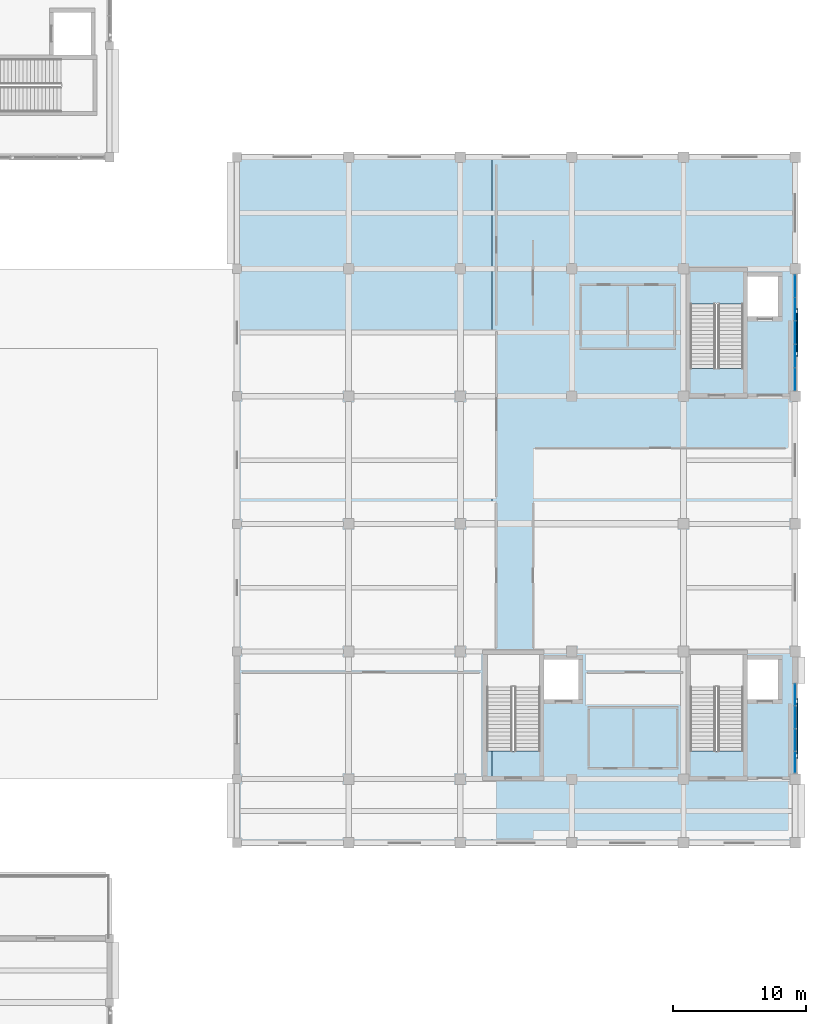
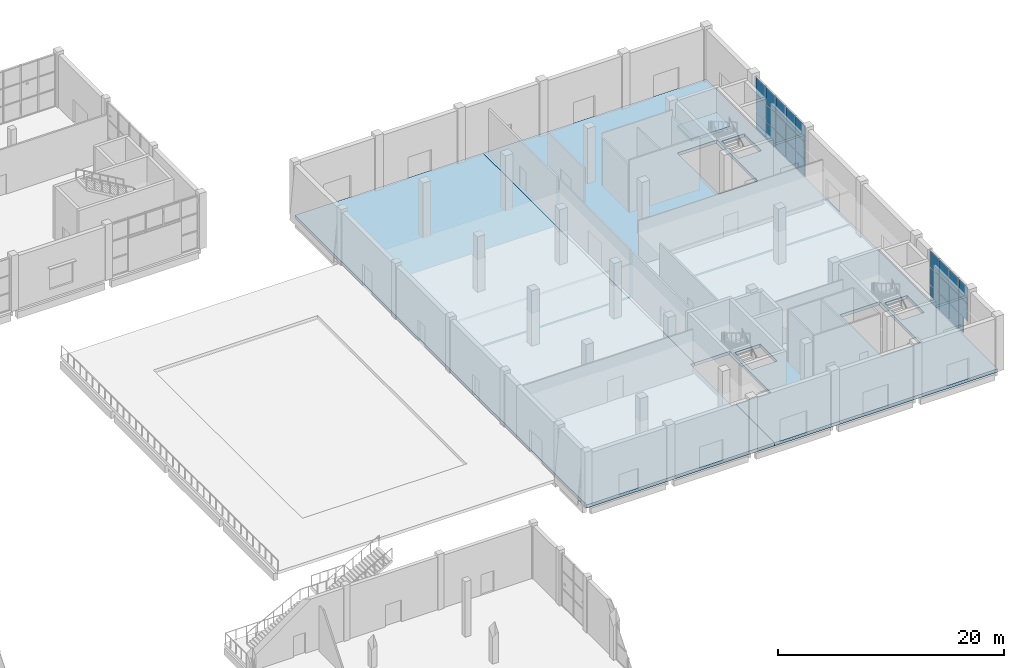
# One storey, part 51 of 84: 28 plates, 3 slabs, 3 elements without a shape of their own.
"""IFC4 building model written with IfcOpenShell, lengths in metres."""

from ifc_helpers import new_model, si_unit, direction, frame, origin, origin_2d, place, context, subcontext, project, spatial, polyline, rectangle, outline, extrude, material, layer, layer_set, type_object, element, aggregate, save


model = new_model("IFC4")

# Units and contexts
model_context = context("Model", 3, precision=1e-05, world=origin(), true_north=direction((0.0, 1.0)))
body_context = subcontext(model_context, "Body", "Model", "MODEL_VIEW")
ifc_project = project(units=[si_unit("LENGTHUNIT", "METRE"), si_unit("AREAUNIT", "SQUARE_METRE"), si_unit("VOLUMEUNIT", "CUBIC_METRE"), si_unit("PLANEANGLEUNIT", "RADIAN"), si_unit("MASSUNIT", "GRAM", prefix="KILO")], contexts=[model_context])

# Site, building, storey
site_placement = place(None, origin())
site = spatial("IfcSite", under=ifc_project, at=site_placement, CompositionType="ELEMENT")
building_placement = place(site_placement, origin())
building = spatial("IfcBuilding", under=site, at=building_placement, Name="Shalvenor Court Art Gallery", CompositionType="ELEMENT")
storey_placement = place(building_placement, origin())
storey = spatial("IfcBuildingStorey", under=building, at=storey_placement, Name="L00", CompositionType="ELEMENT", Elevation=0.0)

# Curtain wall, plates
ifc_material_1 = material(Name="Anodised aluminium and low-iron glass curtain wall", Category="aluminium")
curtain_wall_type_1 = type_object("IfcCurtainWallType", Name="CW-5x3-88-57-222", PredefinedType="USERDEFINED", material=ifc_material_1)
curtain_wall_1_placement = place(storey_placement, origin())
curtain_wall_1 = element("IfcCurtainWall", 1, at=curtain_wall_1_placement, inside=storey, type_object=curtain_wall_type_1, Name="L00 V1 Curtain Wall CW-L00-001", ObjectType="CURTAIN WALL", PredefinedType="USERDEFINED")
ifc_material_2 = material(Name="Low-iron triple-silver solar gallery glazing IGU", Category="glass")
ifc_layer_1 = layer(ifc_material_2, 0.031982421875, Name="Low-iron triple-silver solar gallery glazing IGU")
ifc_layer_set_1 = layer_set([ifc_layer_1], Name="Low-iron triple-silver solar gallery glazing IGU")
plate_type_1 = type_object("IfcPlateType", Name="CWP-02", PredefinedType="CURTAIN_PANEL", material=ifc_layer_set_1)
plate_1_placement = place(storey_placement, frame((176.39990234375, 87.50244140625, 0.06494140625), z_axis=(0.0, 0.0, 1.0), x_axis=(0.0, -1.0, 0.0)))
plate_1 = element("IfcPlate", 2, at=plate_1_placement, type_object=plate_type_1, Name="CW-5x3-88-57-222 panel 1.1", PredefinedType="CURTAIN_PANEL", context=body_context, shape_type="SweptSolid", body=[
    extrude(rectangle(XDim=1.655029296875, YDim=0.031982421875, at=origin_2d()), origin(), (0.0, 0.0, 1.0), 1.7958984375),
])
plate_2_placement = place(storey_placement, frame((176.39990234375, 87.50244140625, 1.92578125), z_axis=(0.0, 0.0, 1.0), x_axis=(0.0, -1.0, 0.0)))
plate_2 = element("IfcPlate", 3, at=plate_2_placement, type_object=plate_type_1, Name="CW-5x3-88-57-222 panel 1.2", PredefinedType="CURTAIN_PANEL", context=body_context, shape_type="SweptSolid", body=[
    extrude(rectangle(XDim=1.655029296875, YDim=0.031982421875, at=origin_2d()), origin(), (0.0, 0.0, 1.0), 1.828369140625),
])
plate_3_placement = place(storey_placement, frame((176.39990234375, 87.50244140625, 3.819091796875), z_axis=(0.0, 0.0, 1.0), x_axis=(0.0, -1.0, 0.0)))
plate_3 = element("IfcPlate", 4, at=plate_3_placement, type_object=plate_type_1, Name="CW-5x3-88-57-222 panel 1.3", PredefinedType="CURTAIN_PANEL", context=body_context, shape_type="SweptSolid", body=[
    extrude(rectangle(XDim=1.655029296875, YDim=0.031982421875, at=origin_2d()), origin(), (0.0, 0.0, 1.0), 1.7958984375),
])
plate_4_placement = place(storey_placement, frame((176.39990234375, 85.760009765625, 0.06494140625), z_axis=(0.0, 0.0, 1.0), x_axis=(0.0, -1.0, 0.0)))
plate_4 = element("IfcPlate", 5, at=plate_4_placement, type_object=plate_type_1, Name="CW-5x3-88-57-222 panel 2.1", PredefinedType="CURTAIN_PANEL", context=body_context, shape_type="SweptSolid", body=[
    extrude(rectangle(XDim=1.68994140625, YDim=0.031982421875, at=origin_2d()), origin(), (0.0, 0.0, 1.0), 1.7958984375),
])
plate_5_placement = place(storey_placement, frame((176.39990234375, 85.760009765625, 1.92578125), z_axis=(0.0, 0.0, 1.0), x_axis=(0.0, -1.0, 0.0)))
plate_5 = element("IfcPlate", 6, at=plate_5_placement, type_object=plate_type_1, Name="CW-5x3-88-57-222 panel 2.2", PredefinedType="CURTAIN_PANEL", context=body_context, shape_type="SweptSolid", body=[
    extrude(rectangle(XDim=1.68994140625, YDim=0.031982421875, at=origin_2d()), origin(), (0.0, 0.0, 1.0), 1.828369140625),
])
plate_6_placement = place(storey_placement, frame((176.39990234375, 85.760009765625, 3.819091796875), z_axis=(0.0, 0.0, 1.0), x_axis=(0.0, -1.0, 0.0)))
plate_6 = element("IfcPlate", 7, at=plate_6_placement, type_object=plate_type_1, Name="CW-5x3-88-57-222 panel 2.3", PredefinedType="CURTAIN_PANEL", context=body_context, shape_type="SweptSolid", body=[
    extrude(rectangle(XDim=1.68994140625, YDim=0.031982421875, at=origin_2d()), origin(), (0.0, 0.0, 1.0), 1.7958984375),
])
plate_7_placement = place(storey_placement, frame((176.39990234375, 84.0, 0.06494140625), z_axis=(0.0, 0.0, 1.0), x_axis=(0.0, -1.0, 0.0)))
plate_7 = element("IfcPlate", 8, at=plate_7_placement, type_object=plate_type_1, Name="CW-5x3-88-57-222 panel 3.1", PredefinedType="CURTAIN_PANEL", context=body_context, shape_type="SweptSolid", body=[
    extrude(rectangle(XDim=1.68994140625, YDim=0.031982421875, at=origin_2d()), origin(), (0.0, 0.0, 1.0), 1.7958984375),
])
plate_8_placement = place(storey_placement, frame((176.39990234375, 84.0, 1.92578125), z_axis=(0.0, 0.0, 1.0), x_axis=(0.0, -1.0, 0.0)))
plate_8 = element("IfcPlate", 9, at=plate_8_placement, type_object=plate_type_1, Name="CW-5x3-88-57-222 panel 3.2", PredefinedType="CURTAIN_PANEL", context=body_context, shape_type="SweptSolid", body=[
    extrude(rectangle(XDim=1.68994140625, YDim=0.031982421875, at=origin_2d()), origin(), (0.0, 0.0, 1.0), 1.828369140625),
])
plate_9_placement = place(storey_placement, frame((176.39990234375, 84.0, 3.819091796875), z_axis=(0.0, 0.0, 1.0), x_axis=(0.0, -1.0, 0.0)))
plate_9 = element("IfcPlate", 10, at=plate_9_placement, type_object=plate_type_1, Name="CW-5x3-88-57-222 panel 3.3", PredefinedType="CURTAIN_PANEL", context=body_context, shape_type="SweptSolid", body=[
    extrude(rectangle(XDim=1.68994140625, YDim=0.031982421875, at=origin_2d()), origin(), (0.0, 0.0, 1.0), 1.7958984375),
])
plate_10_placement = place(storey_placement, frame((176.39990234375, 82.239990234375, 0.06494140625), z_axis=(0.0, 0.0, 1.0), x_axis=(0.0, -1.0, 0.0)))
plate_10 = element("IfcPlate", 11, at=plate_10_placement, type_object=plate_type_1, Name="CW-5x3-88-57-222 panel 4.1", PredefinedType="CURTAIN_PANEL", context=body_context, shape_type="SweptSolid", body=[
    extrude(rectangle(XDim=1.68994140625, YDim=0.031982421875, at=origin_2d()), origin(), (0.0, 0.0, 1.0), 1.7958984375),
])
plate_11_placement = place(storey_placement, frame((176.39990234375, 82.239990234375, 1.92578125), z_axis=(0.0, 0.0, 1.0), x_axis=(0.0, -1.0, 0.0)))
plate_11 = element("IfcPlate", 12, at=plate_11_placement, type_object=plate_type_1, Name="CW-5x3-88-57-222 panel 4.2", PredefinedType="CURTAIN_PANEL", context=body_context, shape_type="SweptSolid", body=[
    extrude(rectangle(XDim=1.68994140625, YDim=0.031982421875, at=origin_2d()), origin(), (0.0, 0.0, 1.0), 1.828369140625),
])
plate_12_placement = place(storey_placement, frame((176.39990234375, 82.239990234375, 3.819091796875), z_axis=(0.0, 0.0, 1.0), x_axis=(0.0, -1.0, 0.0)))
plate_12 = element("IfcPlate", 13, at=plate_12_placement, type_object=plate_type_1, Name="CW-5x3-88-57-222 panel 4.3", PredefinedType="CURTAIN_PANEL", context=body_context, shape_type="SweptSolid", body=[
    extrude(rectangle(XDim=1.68994140625, YDim=0.031982421875, at=origin_2d()), origin(), (0.0, 0.0, 1.0), 1.7958984375),
])
plate_13_placement = place(storey_placement, frame((176.39990234375, 80.49755859375, 0.06494140625), z_axis=(0.0, 0.0, 1.0), x_axis=(0.0, -1.0, 0.0)))
plate_13 = element("IfcPlate", 14, at=plate_13_placement, type_object=plate_type_1, Name="CW-5x3-88-57-222 panel 5.1", PredefinedType="CURTAIN_PANEL", context=body_context, shape_type="SweptSolid", body=[
    extrude(rectangle(XDim=1.655029296875, YDim=0.031982421875, at=origin_2d()), origin(), (0.0, 0.0, 1.0), 1.7958984375),
])
plate_14_placement = place(storey_placement, frame((176.39990234375, 80.49755859375, 1.92578125), z_axis=(0.0, 0.0, 1.0), x_axis=(0.0, -1.0, 0.0)))
plate_14 = element("IfcPlate", 15, at=plate_14_placement, type_object=plate_type_1, Name="CW-5x3-88-57-222 panel 5.2", PredefinedType="CURTAIN_PANEL", context=body_context, shape_type="SweptSolid", body=[
    extrude(rectangle(XDim=1.655029296875, YDim=0.031982421875, at=origin_2d()), origin(), (0.0, 0.0, 1.0), 1.828369140625),
])
plate_15_placement = place(storey_placement, frame((176.39990234375, 80.49755859375, 3.819091796875), z_axis=(0.0, 0.0, 1.0), x_axis=(0.0, -1.0, 0.0)))
plate_15 = element("IfcPlate", 16, at=plate_15_placement, type_object=plate_type_1, Name="CW-5x3-88-57-222 panel 5.3", PredefinedType="CURTAIN_PANEL", context=body_context, shape_type="SweptSolid", body=[
    extrude(rectangle(XDim=1.655029296875, YDim=0.031982421875, at=origin_2d()), origin(), (0.0, 0.0, 1.0), 1.7958984375),
])
aggregate(curtain_wall_1, [plate_1, plate_2, plate_3, plate_4, plate_5, plate_6, plate_7, plate_8, plate_9, plate_10, plate_11, plate_12, plate_13, plate_14, plate_15])

ifc_material_3 = material(Name="Anodised aluminium and low-iron glass curtain wall", Category="aluminium")
curtain_wall_type_2 = type_object("IfcCurtainWallType", Name="CW-4x3-68-57-442", PredefinedType="USERDEFINED", material=ifc_material_3)
curtain_wall_2_placement = place(storey_placement, origin())
curtain_wall_2 = element("IfcCurtainWall", 17, at=curtain_wall_2_placement, inside=storey, type_object=curtain_wall_type_2, Name="L00 V1 Curtain Wall CW-L00-002", ObjectType="CURTAIN WALL", PredefinedType="USERDEFINED")
plate_16_placement = place(storey_placement, frame((176.39990234375, 56.731201171875, 0.06982421875), z_axis=(0.0, 0.0, 1.0), x_axis=(0.0, -1.0, 0.0)))
plate_16 = element("IfcPlate", 18, at=plate_16_placement, type_object=plate_type_1, Name="CW-4x3-68-57-442 panel 1.1", PredefinedType="CURTAIN_PANEL", context=body_context, shape_type="SweptSolid", body=[
    extrude(rectangle(XDim=1.58740234375, YDim=0.031982421875, at=origin_2d()), origin(), (0.0, 0.0, 1.0), 1.788330078125),
])
plate_17_placement = place(storey_placement, frame((176.39990234375, 56.731201171875, 1.928466796875), z_axis=(0.0, 0.0, 1.0), x_axis=(0.0, -1.0, 0.0)))
plate_17 = element("IfcPlate", 19, at=plate_17_placement, type_object=plate_type_1, Name="CW-4x3-68-57-442 panel 1.2", PredefinedType="CURTAIN_PANEL", context=body_context, shape_type="SweptSolid", body=[
    extrude(rectangle(XDim=1.58740234375, YDim=0.031982421875, at=origin_2d()), origin(), (0.0, 0.0, 1.0), 1.8232421875),
])
plate_18_placement = place(storey_placement, frame((176.39990234375, 56.731201171875, 3.82177734375), z_axis=(0.0, 0.0, 1.0), x_axis=(0.0, -1.0, 0.0)))
plate_18 = element("IfcPlate", 20, at=plate_18_placement, type_object=plate_type_1, Name="CW-4x3-68-57-442 panel 1.3", PredefinedType="CURTAIN_PANEL", context=body_context, shape_type="SweptSolid", body=[
    extrude(rectangle(XDim=1.58740234375, YDim=0.031982421875, at=origin_2d()), origin(), (0.0, 0.0, 1.0), 1.788330078125),
])
plate_19_placement = place(storey_placement, frame((176.39990234375, 55.050048828125, 0.06982421875), z_axis=(0.0, 0.0, 1.0), x_axis=(0.0, -1.0, 0.0)))
plate_19 = element("IfcPlate", 21, at=plate_19_placement, type_object=plate_type_1, Name="CW-4x3-68-57-442 panel 2.1", PredefinedType="CURTAIN_PANEL", context=body_context, shape_type="SweptSolid", body=[
    extrude(rectangle(XDim=1.625, YDim=0.031982421875, at=origin_2d()), origin(), (0.0, 0.0, 1.0), 1.788330078125),
])
plate_20_placement = place(storey_placement, frame((176.39990234375, 55.050048828125, 1.928466796875), z_axis=(0.0, 0.0, 1.0), x_axis=(0.0, -1.0, 0.0)))
plate_20 = element("IfcPlate", 22, at=plate_20_placement, type_object=plate_type_1, Name="CW-4x3-68-57-442 panel 2.2", PredefinedType="CURTAIN_PANEL", context=body_context, shape_type="SweptSolid", body=[
    extrude(rectangle(XDim=1.625, YDim=0.031982421875, at=origin_2d()), origin(), (0.0, 0.0, 1.0), 1.8232421875),
])
plate_21_placement = place(storey_placement, frame((176.39990234375, 55.050048828125, 3.82177734375), z_axis=(0.0, 0.0, 1.0), x_axis=(0.0, -1.0, 0.0)))
plate_21 = element("IfcPlate", 23, at=plate_21_placement, type_object=plate_type_1, Name="CW-4x3-68-57-442 panel 2.3", PredefinedType="CURTAIN_PANEL", context=body_context, shape_type="SweptSolid", body=[
    extrude(rectangle(XDim=1.625, YDim=0.031982421875, at=origin_2d()), origin(), (0.0, 0.0, 1.0), 1.788330078125),
])
plate_22_placement = place(storey_placement, frame((176.39990234375, 53.35009765625, 0.06982421875), z_axis=(0.0, 0.0, 1.0), x_axis=(0.0, -1.0, 0.0)))
plate_22 = element("IfcPlate", 24, at=plate_22_placement, type_object=plate_type_1, Name="CW-4x3-68-57-442 panel 3.1", PredefinedType="CURTAIN_PANEL", context=body_context, shape_type="SweptSolid", body=[
    extrude(rectangle(XDim=1.625, YDim=0.031982421875, at=origin_2d()), origin(), (0.0, 0.0, 1.0), 1.788330078125),
])
plate_23_placement = place(storey_placement, frame((176.39990234375, 53.35009765625, 1.928466796875), z_axis=(0.0, 0.0, 1.0), x_axis=(0.0, -1.0, 0.0)))
plate_23 = element("IfcPlate", 25, at=plate_23_placement, type_object=plate_type_1, Name="CW-4x3-68-57-442 panel 3.2", PredefinedType="CURTAIN_PANEL", context=body_context, shape_type="SweptSolid", body=[
    extrude(rectangle(XDim=1.625, YDim=0.031982421875, at=origin_2d()), origin(), (0.0, 0.0, 1.0), 1.8232421875),
])
plate_24_placement = place(storey_placement, frame((176.39990234375, 53.35009765625, 3.82177734375), z_axis=(0.0, 0.0, 1.0), x_axis=(0.0, -1.0, 0.0)))
plate_24 = element("IfcPlate", 26, at=plate_24_placement, type_object=plate_type_1, Name="CW-4x3-68-57-442 panel 3.3", PredefinedType="CURTAIN_PANEL", context=body_context, shape_type="SweptSolid", body=[
    extrude(rectangle(XDim=1.625, YDim=0.031982421875, at=origin_2d()), origin(), (0.0, 0.0, 1.0), 1.788330078125),
])
plate_25_placement = place(storey_placement, frame((176.39990234375, 51.668701171875, 1.928466796875), z_axis=(0.0, 0.0, 1.0), x_axis=(0.0, -1.0, 0.0)))
plate_25 = element("IfcPlate", 27, at=plate_25_placement, type_object=plate_type_1, Name="CW-4x3-68-57-442 panel 4.2", PredefinedType="CURTAIN_PANEL", context=body_context, shape_type="SweptSolid", body=[
    extrude(rectangle(XDim=1.58740234375, YDim=0.031982421875, at=origin_2d()), origin(), (0.0, 0.0, 1.0), 1.8232421875),
])
plate_26_placement = place(storey_placement, frame((176.39990234375, 51.668701171875, 3.82177734375), z_axis=(0.0, 0.0, 1.0), x_axis=(0.0, -1.0, 0.0)))
plate_26 = element("IfcPlate", 28, at=plate_26_placement, type_object=plate_type_1, Name="CW-4x3-68-57-442 panel 4.3", PredefinedType="CURTAIN_PANEL", context=body_context, shape_type="SweptSolid", body=[
    extrude(rectangle(XDim=1.58740234375, YDim=0.031982421875, at=origin_2d()), origin(), (0.0, 0.0, 1.0), 1.788330078125),
])
aggregate(curtain_wall_2, [plate_16, plate_17, plate_18, plate_19, plate_20, plate_21, plate_22, plate_23, plate_24, plate_25, plate_26])

# Slabs
ifc_material_4 = material(Name="Concrete C40/50", Category="concrete")
ifc_layer_2 = layer(ifc_material_4, 0.340087890625, Name="Concrete C40/50")
ifc_layer_set_2 = layer_set([ifc_layer_2], Name="Concrete C40/50")
slab_type_1 = type_object("IfcSlabType", Name="FS-340", PredefinedType="FLOOR", material=ifc_layer_set_2)
slab_1_placement = place(storey_placement, frame((0.0, 0.0, -0.340087890625)))
element("IfcSlab", 29, at=slab_1_placement, inside=storey, type_object=slab_type_1, Name="L00 V1 Floor Slab 1", PredefinedType="FLOOR", context=body_context, shape_type="SweptSolid", body=[
    extrude(outline(polyline([(153.60009765625, 97.199951171875), (153.60009765625, 59.800048828125), (153.199951171875, 59.800048828125), (153.199951171875, 52.510986328125), (153.60009765625, 52.510986328125), (153.60009765625, 45.60009765625), (134.39990234375, 45.60009765625), (134.39990234375, 97.199951171875), (153.60009765625, 97.199951171875)])), origin(), (0.0, 0.0, 1.0), 0.340087890625),
])
slab_2_placement = place(storey_placement, frame((0.0, 0.0, -0.340087890625)))
element("IfcSlab", 30, at=slab_2_placement, inside=storey, type_object=slab_type_1, Name="L00 V1 Floor Slab 2", PredefinedType="FLOOR", context=body_context, shape_type="SweptSolid", body=[
    extrude(outline(polyline([(176.39990234375, 97.199951171875), (176.39990234375, 45.60009765625), (153.60009765625, 45.60009765625), (153.60009765625, 52.510986328125), (157.199951171875, 52.510986328125), (157.199951171875, 59.800048828125), (153.60009765625, 59.800048828125), (153.60009765625, 97.199951171875), (176.39990234375, 97.199951171875)]), holes=[polyline([(168.5, 81.31103515625), (172.5, 81.31103515625), (172.5, 88.60009765625), (168.5, 88.60009765625), (168.5, 81.31103515625)]), polyline([(168.5, 59.800048828125), (168.5, 52.510986328125), (172.5, 52.510986328125), (172.5, 59.800048828125), (168.5, 59.800048828125)]), polyline([(175.10009765625, 85.199951171875), (175.10009765625, 88.199951171875), (172.81201171875, 88.199951171875), (172.81201171875, 85.199951171875), (175.10009765625, 85.199951171875)]), polyline([(172.81201171875, 56.39990234375), (175.10009765625, 56.39990234375), (175.10009765625, 59.39990234375), (172.81201171875, 59.39990234375), (172.81201171875, 56.39990234375)]), polyline([(157.511962890625, 59.39990234375), (157.511962890625, 56.39990234375), (160.10009765625, 56.39990234375), (160.10009765625, 59.39990234375), (157.511962890625, 59.39990234375)])]), origin(), (0.0, 0.0, 1.0), 0.340087890625),
])

# Plates
ifc_material_5 = material(Name="Perforated pale limestone GRC lattice", Category="masonry")
ifc_layer_3 = layer(ifc_material_5, 0.090087890625, Name="Perforated pale limestone GRC lattice")
ifc_layer_set_3 = layer_set([ifc_layer_3], Name="Perforated pale limestone GRC lattice")
plate_type_2 = type_object("IfcPlateType", Name="SCR-01", PredefinedType="USERDEFINED", material=ifc_layer_set_3)
plate_27_placement = place(storey_placement, frame((176.54296875, 84.0, 0.0), z_axis=(0.0, 0.0, 1.0), x_axis=(0.0, -1.0, 0.0)))
element("IfcPlate", 31, at=plate_27_placement, inside=storey, type_object=plate_type_2, Name="L00 V1 Perforated Stone Lattice Screen PLT-SCR-0001", ObjectType="SCREEN", PredefinedType="USERDEFINED", context=body_context, shape_type="SweptSolid", body=[
    extrude(rectangle(XDim=3.60009765625, YDim=0.090087890625, at=origin_2d()), origin(), (0.0, 0.0, 1.0), 3.60009765625),
])
ifc_material_6 = material(Name="Perforated pale limestone GRC lattice", Category="masonry")
ifc_layer_4 = layer(ifc_material_6, 0.090087890625, Name="Perforated pale limestone GRC lattice")
ifc_layer_set_4 = layer_set([ifc_layer_4], Name="Perforated pale limestone GRC lattice")
plate_type_3 = type_object("IfcPlateType", Name="SCR-02", PredefinedType="USERDEFINED", material=ifc_layer_set_4)
plate_28_placement = place(storey_placement, frame((176.552978515625, 54.199951171875, 0.0), z_axis=(0.0, 0.0, 1.0), x_axis=(0.0, -1.0, 0.0)))
element("IfcPlate", 32, at=plate_28_placement, inside=storey, type_object=plate_type_3, Name="L00 V1 Perforated Stone Lattice Screen PLT-SCR-0002", ObjectType="SCREEN", PredefinedType="USERDEFINED", context=body_context, shape_type="SweptSolid", body=[
    extrude(rectangle(XDim=4.5, YDim=0.090087890625, at=origin_2d()), origin(), (0.0, 0.0, 1.0), 3.60009765625),
])

# Stair, slab
ifc_material_7 = material(Name="Concrete C40/50", Category="concrete")
stair_type = type_object("IfcStairType", Name="ST-DL-36R-1900", PredefinedType="HALF_TURN_STAIR", material=ifc_material_7)
stair_placement = place(storey_placement, origin())
stair = element("IfcStair", 33, at=stair_placement, inside=storey, type_object=stair_type, Name="L00 Core Dogleg Stair ST-01", PredefinedType="HALF_TURN_STAIR")
ifc_material_8 = material(Name="Concrete C40/50", Category="concrete")
ifc_layer_5 = layer(ifc_material_8, 0.300048828125, Name="Concrete C40/50")
ifc_layer_set_5 = layer_set([ifc_layer_5], Name="Concrete C40/50")
slab_type_2 = type_object("IfcSlabType", Name="SLD-300", PredefinedType="LANDING", material=ifc_layer_set_5)
slab_3_placement = place(storey_placement, frame((0.0, 0.0, 2.699951171875)))
slab_3 = element("IfcSlab", 34, at=slab_3_placement, type_object=slab_type_2, Name="ST-DL-36R-1900 landing 1", PredefinedType="LANDING", context=body_context, shape_type="SweptSolid", body=[
    extrude(outline(polyline([(172.5, 86.14501953125), (172.5, 88.60009765625), (168.5, 88.60009765625), (168.5, 86.14501953125), (172.5, 86.14501953125)])), origin(), (0.0, 0.0, 1.0), 0.300048828125),
])
aggregate(stair, [slab_3])

save(model, "model.ifc")
